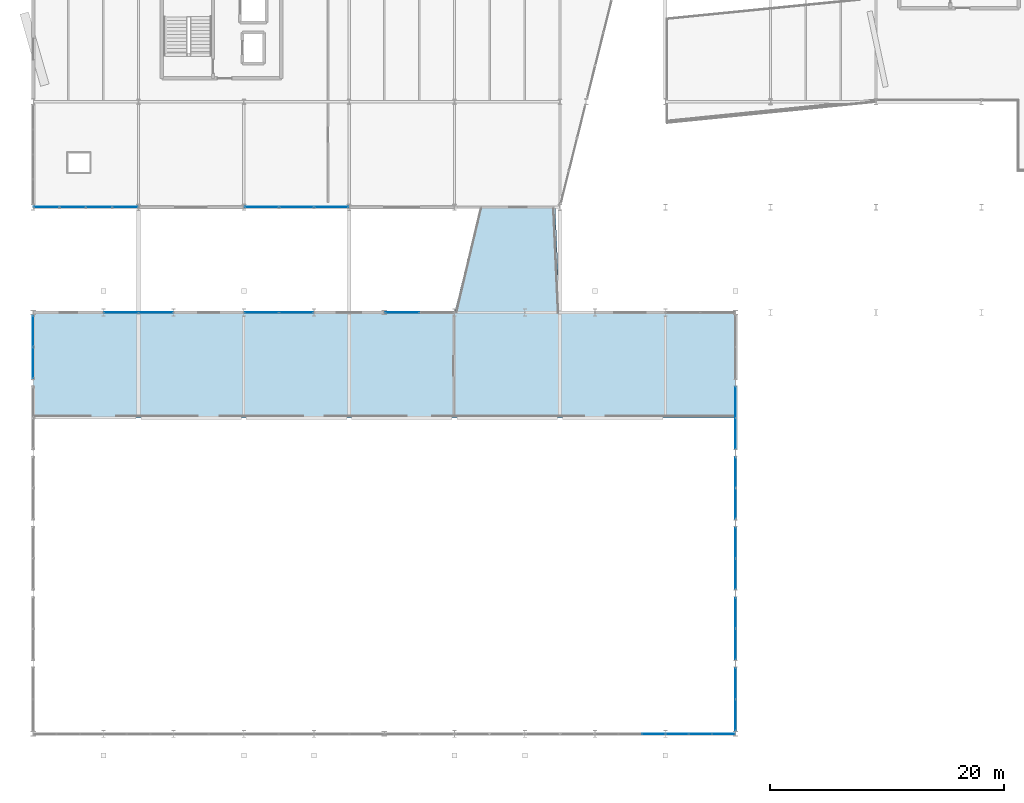
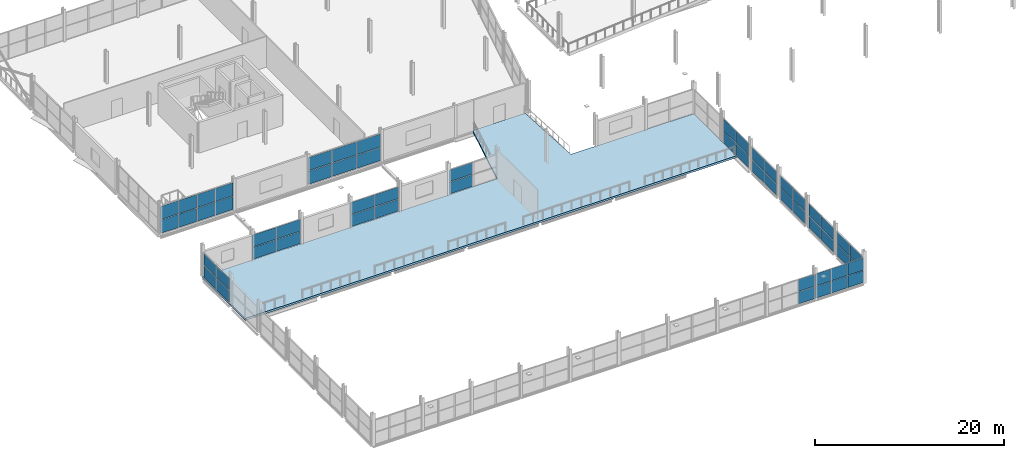
# One storey, part 102 of 135: 56 plates, 1 slab, 13 elements without a shape of their own.
"""IFC4 building model written with IfcOpenShell, lengths in metres."""

from ifc_helpers import new_model, si_unit, direction, frame, origin, origin_2d, place, context, subcontext, project, spatial, polyline, rectangle, outline, extrude, material, layer, layer_set, type_object, element, aggregate, save


model = new_model("IFC4")

# Units and contexts
model_context = context("Model", 3, precision=1e-05, world=origin(), true_north=direction((0.0, 1.0)))
body_context = subcontext(model_context, "Body", "Model", "MODEL_VIEW")
ifc_project = project(units=[si_unit("LENGTHUNIT", "METRE"), si_unit("AREAUNIT", "SQUARE_METRE"), si_unit("VOLUMEUNIT", "CUBIC_METRE"), si_unit("PLANEANGLEUNIT", "RADIAN"), si_unit("MASSUNIT", "GRAM", prefix="KILO")], contexts=[model_context])

# Site, building, storey
site_placement = place(None, origin())
site = spatial("IfcSite", under=ifc_project, at=site_placement, CompositionType="ELEMENT")
building_placement = place(site_placement, origin())
building = spatial("IfcBuilding", under=site, at=building_placement, Name="Deido Ridge Mobility Hub", CompositionType="ELEMENT")
storey_placement = place(building_placement, frame((0.0, 0.0, 4.199951171875)))
storey = spatial("IfcBuildingStorey", under=building, at=storey_placement, Name="L01", CompositionType="ELEMENT", Elevation=4.199951171875)

# Curtain wall, plates
ifc_material_1 = material(Name="Anodised aluminium EN AW-6063 T6", Category="aluminium")
ifc_layer_1 = layer(ifc_material_1, 0.1650390625, Name="Anodised aluminium EN AW-6063 T6")
ifc_layer_set_1 = layer_set([ifc_layer_1], Name="Anodised aluminium EN AW-6063 T6")
curtain_wall_type_1 = type_object("IfcCurtainWallType", Name="CW-UF-1", PredefinedType="USERDEFINED", material=ifc_layer_set_1)
curtain_wall_1_placement = place(storey_placement, origin())
curtain_wall_1 = element("IfcCurtainWall", 1, at=curtain_wall_1_placement, inside=storey, type_object=curtain_wall_type_1, Name="Unitised curtain wall CW1", ObjectType="UNITISED FACADE", PredefinedType="USERDEFINED")
ifc_material_2 = material(Name="Laminated solar-control low-E glass", Category="glass")
ifc_layer_2 = layer(ifc_material_2, 0.02587890625, Name="Laminated solar-control low-E glass")
ifc_layer_set_2 = layer_set([ifc_layer_2], Name="Laminated solar-control low-E glass")
plate_type_1 = type_object("IfcPlateType", Name="PLT-CWP-26", PredefinedType="CURTAIN_PANEL", material=ifc_layer_set_2)
plate_1_placement = place(storey_placement, frame((52.982421875, 0.0, 0.0498046875), z_axis=(0.0, 0.0, 1.0), x_axis=(1.0, 0.0, 0.0)))
plate_1 = element("IfcPlate", 2, at=plate_1_placement, type_object=plate_type_1, Name="CW1 panel 3.1", PredefinedType="CURTAIN_PANEL", context=body_context, shape_type="SweptSolid", body=[
    extrude(rectangle(XDim=1.919921875, YDim=0.02587890625, at=origin_2d()), origin(), (0.0, 0.0, 1.0), 1.550048828125),
])
plate_2_placement = place(storey_placement, frame((52.982421875, 0.0, 1.64990234375), z_axis=(0.0, 0.0, 1.0), x_axis=(1.0, 0.0, 0.0)))
plate_2 = element("IfcPlate", 3, at=plate_2_placement, type_object=plate_type_1, Name="CW1 panel 3.2", PredefinedType="CURTAIN_PANEL", context=body_context, shape_type="SweptSolid", body=[
    extrude(rectangle(XDim=1.919921875, YDim=0.02587890625, at=origin_2d()), origin(), (0.0, 0.0, 1.0), 1.550048828125),
])
aggregate(curtain_wall_1, [plate_1, plate_2])

ifc_layer_3 = layer(ifc_material_1, 0.179931640625, Name="Anodised aluminium EN AW-6063 T6")
ifc_layer_set_3 = layer_set([ifc_layer_3], Name="Anodised aluminium EN AW-6063 T6")
curtain_wall_type_2 = type_object("IfcCurtainWallType", Name="CW-UF-2", PredefinedType="USERDEFINED", material=ifc_layer_set_3)
curtain_wall_2_placement = place(storey_placement, origin())
curtain_wall_2 = element("IfcCurtainWall", 4, at=curtain_wall_2_placement, inside=storey, type_object=curtain_wall_type_2, Name="Unitised curtain wall CW2", ObjectType="UNITISED FACADE", PredefinedType="USERDEFINED")
plate_3_placement = place(storey_placement, frame((60.0, 25.66259765625, 0.0498046875), z_axis=(0.0, 0.0, 1.0), x_axis=(0.0, 1.0, 0.0)))
plate_3 = element("IfcPlate", 5, at=plate_3_placement, type_object=plate_type_1, Name="CW2 panel 1.1", PredefinedType="CURTAIN_PANEL", context=body_context, shape_type="SweptSolid", body=[
    extrude(rectangle(XDim=2.625, YDim=0.02587890625, at=origin_2d()), origin(), (0.0, 0.0, 1.0), 1.550048828125),
])
plate_4_placement = place(storey_placement, frame((60.0, 25.66259765625, 1.64990234375), z_axis=(0.0, 0.0, 1.0), x_axis=(0.0, 1.0, 0.0)))
plate_4 = element("IfcPlate", 6, at=plate_4_placement, type_object=plate_type_1, Name="CW2 panel 1.2", PredefinedType="CURTAIN_PANEL", context=body_context, shape_type="SweptSolid", body=[
    extrude(rectangle(XDim=2.625, YDim=0.02587890625, at=origin_2d()), origin(), (0.0, 0.0, 1.0), 1.550048828125),
])
plate_5_placement = place(storey_placement, frame((60.0, 28.33740234375, 0.0498046875), z_axis=(0.0, 0.0, 1.0), x_axis=(0.0, 1.0, 0.0)))
plate_5 = element("IfcPlate", 7, at=plate_5_placement, type_object=plate_type_1, Name="CW2 panel 2.1", PredefinedType="CURTAIN_PANEL", context=body_context, shape_type="SweptSolid", body=[
    extrude(rectangle(XDim=2.625, YDim=0.02587890625, at=origin_2d()), origin(), (0.0, 0.0, 1.0), 1.550048828125),
])
plate_6_placement = place(storey_placement, frame((60.0, 28.33740234375, 1.64990234375), z_axis=(0.0, 0.0, 1.0), x_axis=(0.0, 1.0, 0.0)))
plate_6 = element("IfcPlate", 8, at=plate_6_placement, type_object=plate_type_1, Name="CW2 panel 2.2", PredefinedType="CURTAIN_PANEL", context=body_context, shape_type="SweptSolid", body=[
    extrude(rectangle(XDim=2.625, YDim=0.02587890625, at=origin_2d()), origin(), (0.0, 0.0, 1.0), 1.550048828125),
])
aggregate(curtain_wall_2, [plate_3, plate_4, plate_5, plate_6])

curtain_wall_3_placement = place(storey_placement, origin())
curtain_wall_3 = element("IfcCurtainWall", 9, at=curtain_wall_3_placement, inside=storey, type_object=curtain_wall_type_2, Name="Unitised curtain wall CW2", ObjectType="UNITISED FACADE", PredefinedType="USERDEFINED")
ifc_layer_4 = layer(ifc_material_2, 0.029052734375, Name="Laminated solar-control low-E glass")
ifc_layer_set_4 = layer_set([ifc_layer_4], Name="Laminated solar-control low-E glass")
plate_type_2 = type_object("IfcPlateType", Name="PLT-CWP-29", PredefinedType="CURTAIN_PANEL", material=ifc_layer_set_4)
plate_7_placement = place(storey_placement, frame((55.018310546875, 0.0, 0.05517578125), z_axis=(0.0, 0.0, 1.0), x_axis=(1.0, 0.0, 0.0)))
plate_7 = element("IfcPlate", 10, at=plate_7_placement, type_object=plate_type_2, Name="CW2 panel 1.1", PredefinedType="CURTAIN_PANEL", context=body_context, shape_type="SweptSolid", body=[
    extrude(rectangle(XDim=1.910888671875, YDim=0.029052734375, at=origin_2d()), origin(), (0.0, 0.0, 1.0), 1.54248046875),
])
plate_8_placement = place(storey_placement, frame((55.018310546875, 0.0, 1.652587890625), z_axis=(0.0, 0.0, 1.0), x_axis=(1.0, 0.0, 0.0)))
plate_8 = element("IfcPlate", 11, at=plate_8_placement, type_object=plate_type_2, Name="CW2 panel 1.2", PredefinedType="CURTAIN_PANEL", context=body_context, shape_type="SweptSolid", body=[
    extrude(rectangle(XDim=1.910888671875, YDim=0.029052734375, at=origin_2d()), origin(), (0.0, 0.0, 1.0), 1.54248046875),
])
plate_9_placement = place(storey_placement, frame((56.997802734375, 0.0, 0.05517578125), z_axis=(0.0, 0.0, 1.0), x_axis=(1.0, 0.0, 0.0)))
plate_9 = element("IfcPlate", 12, at=plate_9_placement, type_object=plate_type_2, Name="CW2 panel 2.1", PredefinedType="CURTAIN_PANEL", context=body_context, shape_type="SweptSolid", body=[
    extrude(rectangle(XDim=1.9384765625, YDim=0.029052734375, at=origin_2d()), origin(), (0.0, 0.0, 1.0), 1.54248046875),
])
plate_10_placement = place(storey_placement, frame((56.997802734375, 0.0, 1.652587890625), z_axis=(0.0, 0.0, 1.0), x_axis=(1.0, 0.0, 0.0)))
plate_10 = element("IfcPlate", 13, at=plate_10_placement, type_object=plate_type_2, Name="CW2 panel 2.2", PredefinedType="CURTAIN_PANEL", context=body_context, shape_type="SweptSolid", body=[
    extrude(rectangle(XDim=1.9384765625, YDim=0.029052734375, at=origin_2d()), origin(), (0.0, 0.0, 1.0), 1.54248046875),
])
plate_11_placement = place(storey_placement, frame((58.9775390625, 0.0, 0.05517578125), z_axis=(0.0, 0.0, 1.0), x_axis=(1.0, 0.0, 0.0)))
plate_11 = element("IfcPlate", 14, at=plate_11_placement, type_object=plate_type_2, Name="CW2 panel 3.1", PredefinedType="CURTAIN_PANEL", context=body_context, shape_type="SweptSolid", body=[
    extrude(rectangle(XDim=1.910888671875, YDim=0.029052734375, at=origin_2d()), origin(), (0.0, 0.0, 1.0), 1.54248046875),
])
plate_12_placement = place(storey_placement, frame((58.9775390625, 0.0, 1.652587890625), z_axis=(0.0, 0.0, 1.0), x_axis=(1.0, 0.0, 0.0)))
plate_12 = element("IfcPlate", 15, at=plate_12_placement, type_object=plate_type_2, Name="CW2 panel 3.2", PredefinedType="CURTAIN_PANEL", context=body_context, shape_type="SweptSolid", body=[
    extrude(rectangle(XDim=1.910888671875, YDim=0.029052734375, at=origin_2d()), origin(), (0.0, 0.0, 1.0), 1.54248046875),
])
aggregate(curtain_wall_3, [plate_7, plate_8, plate_9, plate_10, plate_11, plate_12])

ifc_layer_5 = layer(ifc_material_1, 0.14404296875, Name="Anodised aluminium EN AW-6063 T6")
ifc_layer_set_5 = layer_set([ifc_layer_5], Name="Anodised aluminium EN AW-6063 T6")
curtain_wall_type_3 = type_object("IfcCurtainWallType", Name="CW-GS-2", PredefinedType="USERDEFINED", material=ifc_layer_set_5)
curtain_wall_4_placement = place(storey_placement, origin())
curtain_wall_4 = element("IfcCurtainWall", 16, at=curtain_wall_4_placement, inside=storey, type_object=curtain_wall_type_3, Name="Unitised curtain wall GS2", ObjectType="GLAZED SCREEN", PredefinedType="USERDEFINED")
ifc_layer_6 = layer(ifc_material_2, 0.031005859375, Name="Laminated solar-control low-E glass")
ifc_layer_set_6 = layer_set([ifc_layer_6], Name="Laminated solar-control low-E glass")
plate_type_3 = type_object("IfcPlateType", Name="PLT-CWP-31", PredefinedType="CURTAIN_PANEL", material=ifc_layer_set_6)
plate_13_placement = place(storey_placement, frame((7.518798828125, 36.0, 0.06005859375), z_axis=(0.0, 0.0, 1.0), x_axis=(1.0, 0.0, 0.0)))
plate_13 = element("IfcPlate", 17, at=plate_13_placement, type_object=plate_type_3, Name="GS2 panel 1.1", PredefinedType="CURTAIN_PANEL", context=body_context, shape_type="SweptSolid", body=[
    extrude(rectangle(XDim=2.90234375, YDim=0.031005859375, at=origin_2d()), origin(), (0.0, 0.0, 1.0), 1.534912109375),
])
plate_14_placement = place(storey_placement, frame((7.518798828125, 36.0, 1.6552734375), z_axis=(0.0, 0.0, 1.0), x_axis=(1.0, 0.0, 0.0)))
plate_14 = element("IfcPlate", 18, at=plate_14_placement, type_object=plate_type_3, Name="GS2 panel 1.2", PredefinedType="CURTAIN_PANEL", context=body_context, shape_type="SweptSolid", body=[
    extrude(rectangle(XDim=2.90234375, YDim=0.031005859375, at=origin_2d()), origin(), (0.0, 0.0, 1.0), 1.534912109375),
])
plate_15_placement = place(storey_placement, frame((10.481201171875, 36.0, 0.06005859375), z_axis=(0.0, 0.0, 1.0), x_axis=(1.0, 0.0, 0.0)))
plate_15 = element("IfcPlate", 19, at=plate_15_placement, type_object=plate_type_3, Name="GS2 panel 2.1", PredefinedType="CURTAIN_PANEL", context=body_context, shape_type="SweptSolid", body=[
    extrude(rectangle(XDim=2.90234375, YDim=0.031005859375, at=origin_2d()), origin(), (0.0, 0.0, 1.0), 1.534912109375),
])
plate_16_placement = place(storey_placement, frame((10.481201171875, 36.0, 1.6552734375), z_axis=(0.0, 0.0, 1.0), x_axis=(1.0, 0.0, 0.0)))
plate_16 = element("IfcPlate", 20, at=plate_16_placement, type_object=plate_type_3, Name="GS2 panel 2.2", PredefinedType="CURTAIN_PANEL", context=body_context, shape_type="SweptSolid", body=[
    extrude(rectangle(XDim=2.90234375, YDim=0.031005859375, at=origin_2d()), origin(), (0.0, 0.0, 1.0), 1.534912109375),
])
aggregate(curtain_wall_4, [plate_13, plate_14, plate_15, plate_16])

ifc_layer_7 = layer(ifc_material_1, 0.132080078125, Name="Anodised aluminium EN AW-6063 T6")
ifc_layer_set_7 = layer_set([ifc_layer_7], Name="Anodised aluminium EN AW-6063 T6")
curtain_wall_type_4 = type_object("IfcCurtainWallType", Name="CW-GS-1", PredefinedType="USERDEFINED", material=ifc_layer_set_7)
curtain_wall_5_placement = place(storey_placement, origin())
curtain_wall_5 = element("IfcCurtainWall", 21, at=curtain_wall_5_placement, inside=storey, type_object=curtain_wall_type_4, Name="Unitised curtain wall GS1", ObjectType="GLAZED SCREEN", PredefinedType="USERDEFINED")
ifc_layer_8 = layer(ifc_material_2, 0.032958984375, Name="Laminated solar-control low-E glass")
ifc_layer_set_8 = layer_set([ifc_layer_8], Name="Laminated solar-control low-E glass")
plate_type_4 = type_object("IfcPlateType", Name="PLT-CWP-33", PredefinedType="CURTAIN_PANEL", material=ifc_layer_set_8)
plate_17_placement = place(storey_placement, frame((1.146728515625, 45.0, 0.06494140625), z_axis=(0.0, 0.0, 1.0), x_axis=(1.0, 0.0, 0.0)))
plate_17 = element("IfcPlate", 22, at=plate_17_placement, type_object=plate_type_4, Name="GS1 panel 1.1", PredefinedType="CURTAIN_PANEL", context=body_context, shape_type="SweptSolid", body=[
    extrude(rectangle(XDim=2.14892578125, YDim=0.032958984375, at=origin_2d()), origin(), (0.0, 0.0, 1.0), 1.702392578125),
])
plate_18_placement = place(storey_placement, frame((1.146728515625, 45.0, 1.83251953125), z_axis=(0.0, 0.0, 1.0), x_axis=(1.0, 0.0, 0.0)))
plate_18 = element("IfcPlate", 23, at=plate_18_placement, type_object=plate_type_4, Name="GS1 panel 1.2", PredefinedType="CURTAIN_PANEL", context=body_context, shape_type="SweptSolid", body=[
    extrude(rectangle(XDim=2.14892578125, YDim=0.032958984375, at=origin_2d()), origin(), (0.0, 0.0, 1.0), 1.702392578125),
])
plate_19_placement = place(storey_placement, frame((3.376708984375, 45.0, 0.06494140625), z_axis=(0.0, 0.0, 1.0), x_axis=(1.0, 0.0, 0.0)))
plate_19 = element("IfcPlate", 24, at=plate_19_placement, type_object=plate_type_4, Name="GS1 panel 2.1", PredefinedType="CURTAIN_PANEL", context=body_context, shape_type="SweptSolid", body=[
    extrude(rectangle(XDim=2.181396484375, YDim=0.032958984375, at=origin_2d()), origin(), (0.0, 0.0, 1.0), 1.702392578125),
])
plate_20_placement = place(storey_placement, frame((3.376708984375, 45.0, 1.83251953125), z_axis=(0.0, 0.0, 1.0), x_axis=(1.0, 0.0, 0.0)))
plate_20 = element("IfcPlate", 25, at=plate_20_placement, type_object=plate_type_4, Name="GS1 panel 2.2", PredefinedType="CURTAIN_PANEL", context=body_context, shape_type="SweptSolid", body=[
    extrude(rectangle(XDim=2.181396484375, YDim=0.032958984375, at=origin_2d()), origin(), (0.0, 0.0, 1.0), 1.702392578125),
])
plate_21_placement = place(storey_placement, frame((5.623291015625, 45.0, 0.06494140625), z_axis=(0.0, 0.0, 1.0), x_axis=(1.0, 0.0, 0.0)))
plate_21 = element("IfcPlate", 26, at=plate_21_placement, type_object=plate_type_4, Name="GS1 panel 3.1", PredefinedType="CURTAIN_PANEL", context=body_context, shape_type="SweptSolid", body=[
    extrude(rectangle(XDim=2.181396484375, YDim=0.032958984375, at=origin_2d()), origin(), (0.0, 0.0, 1.0), 1.702392578125),
])
plate_22_placement = place(storey_placement, frame((5.623291015625, 45.0, 1.83251953125), z_axis=(0.0, 0.0, 1.0), x_axis=(1.0, 0.0, 0.0)))
plate_22 = element("IfcPlate", 27, at=plate_22_placement, type_object=plate_type_4, Name="GS1 panel 3.2", PredefinedType="CURTAIN_PANEL", context=body_context, shape_type="SweptSolid", body=[
    extrude(rectangle(XDim=2.181396484375, YDim=0.032958984375, at=origin_2d()), origin(), (0.0, 0.0, 1.0), 1.702392578125),
])
plate_23_placement = place(storey_placement, frame((7.853271484375, 45.0, 0.06494140625), z_axis=(0.0, 0.0, 1.0), x_axis=(1.0, 0.0, 0.0)))
plate_23 = element("IfcPlate", 28, at=plate_23_placement, type_object=plate_type_4, Name="GS1 panel 4.1", PredefinedType="CURTAIN_PANEL", context=body_context, shape_type="SweptSolid", body=[
    extrude(rectangle(XDim=2.14892578125, YDim=0.032958984375, at=origin_2d()), origin(), (0.0, 0.0, 1.0), 1.702392578125),
])
plate_24_placement = place(storey_placement, frame((7.853271484375, 45.0, 1.83251953125), z_axis=(0.0, 0.0, 1.0), x_axis=(1.0, 0.0, 0.0)))
plate_24 = element("IfcPlate", 29, at=plate_24_placement, type_object=plate_type_4, Name="GS1 panel 4.2", PredefinedType="CURTAIN_PANEL", context=body_context, shape_type="SweptSolid", body=[
    extrude(rectangle(XDim=2.14892578125, YDim=0.032958984375, at=origin_2d()), origin(), (0.0, 0.0, 1.0), 1.702392578125),
])
aggregate(curtain_wall_5, [plate_17, plate_18, plate_19, plate_20, plate_21, plate_22, plate_23, plate_24])

ifc_layer_9 = layer(ifc_material_1, 0.16796875, Name="Anodised aluminium EN AW-6063 T6")
ifc_layer_set_9 = layer_set([ifc_layer_9], Name="Anodised aluminium EN AW-6063 T6")
curtain_wall_type_5 = type_object("IfcCurtainWallType", Name="CW-GS-4", PredefinedType="USERDEFINED", material=ifc_layer_set_9)
curtain_wall_6_placement = place(storey_placement, origin())
curtain_wall_6 = element("IfcCurtainWall", 30, at=curtain_wall_6_placement, inside=storey, type_object=curtain_wall_type_5, Name="Unitised curtain wall GS4", ObjectType="GLAZED SCREEN", PredefinedType="USERDEFINED")
ifc_layer_10 = layer(ifc_material_2, 0.034912109375, Name="Laminated solar-control low-E glass")
ifc_layer_set_10 = layer_set([ifc_layer_10], Name="Laminated solar-control low-E glass")
plate_type_5 = type_object("IfcPlateType", Name="PLT-CWP-35", PredefinedType="CURTAIN_PANEL", material=ifc_layer_set_10)
plate_25_placement = place(storey_placement, frame((19.521484375, 36.0, 0.070068359375), z_axis=(0.0, 0.0, 1.0), x_axis=(1.0, 0.0, 0.0)))
plate_25 = element("IfcPlate", 31, at=plate_25_placement, type_object=plate_type_5, Name="GS4 panel 1.1", PredefinedType="CURTAIN_PANEL", context=body_context, shape_type="SweptSolid", body=[
    extrude(rectangle(XDim=2.88720703125, YDim=0.034912109375, at=origin_2d()), origin(), (0.0, 0.0, 1.0), 1.52001953125),
])
plate_26_placement = place(storey_placement, frame((19.521484375, 36.0, 1.66015625), z_axis=(0.0, 0.0, 1.0), x_axis=(1.0, 0.0, 0.0)))
plate_26 = element("IfcPlate", 32, at=plate_26_placement, type_object=plate_type_5, Name="GS4 panel 1.2", PredefinedType="CURTAIN_PANEL", context=body_context, shape_type="SweptSolid", body=[
    extrude(rectangle(XDim=2.88720703125, YDim=0.034912109375, at=origin_2d()), origin(), (0.0, 0.0, 1.0), 1.52001953125),
])
plate_27_placement = place(storey_placement, frame((22.478515625, 36.0, 0.070068359375), z_axis=(0.0, 0.0, 1.0), x_axis=(1.0, 0.0, 0.0)))
plate_27 = element("IfcPlate", 33, at=plate_27_placement, type_object=plate_type_5, Name="GS4 panel 2.1", PredefinedType="CURTAIN_PANEL", context=body_context, shape_type="SweptSolid", body=[
    extrude(rectangle(XDim=2.88720703125, YDim=0.034912109375, at=origin_2d()), origin(), (0.0, 0.0, 1.0), 1.52001953125),
])
plate_28_placement = place(storey_placement, frame((22.478515625, 36.0, 1.66015625), z_axis=(0.0, 0.0, 1.0), x_axis=(1.0, 0.0, 0.0)))
plate_28 = element("IfcPlate", 34, at=plate_28_placement, type_object=plate_type_5, Name="GS4 panel 2.2", PredefinedType="CURTAIN_PANEL", context=body_context, shape_type="SweptSolid", body=[
    extrude(rectangle(XDim=2.88720703125, YDim=0.034912109375, at=origin_2d()), origin(), (0.0, 0.0, 1.0), 1.52001953125),
])
aggregate(curtain_wall_6, [plate_25, plate_26, plate_27, plate_28])

ifc_layer_11 = layer(ifc_material_1, 0.239990234375, Name="Anodised aluminium EN AW-6063 T6")
ifc_layer_set_11 = layer_set([ifc_layer_11], Name="Anodised aluminium EN AW-6063 T6")
curtain_wall_type_6 = type_object("IfcCurtainWallType", Name="CW-UF-6", PredefinedType="USERDEFINED", material=ifc_layer_set_11)
curtain_wall_7_placement = place(storey_placement, origin())
curtain_wall_7 = element("IfcCurtainWall", 35, at=curtain_wall_7_placement, inside=storey, type_object=curtain_wall_type_6, Name="Unitised curtain wall CW6", ObjectType="UNITISED FACADE", PredefinedType="USERDEFINED")
plate_29_placement = place(storey_placement, frame((60.0, 1.598388671875, 0.070068359375), z_axis=(0.0, 0.0, 1.0), x_axis=(0.0, 1.0, 0.0)))
plate_29 = element("IfcPlate", 36, at=plate_29_placement, type_object=plate_type_5, Name="CW6 panel 1.1", PredefinedType="CURTAIN_PANEL", context=body_context, shape_type="SweptSolid", body=[
    extrude(rectangle(XDim=2.64111328125, YDim=0.034912109375, at=origin_2d()), origin(), (0.0, 0.0, 1.0), 1.52001953125),
])
plate_30_placement = place(storey_placement, frame((60.0, 1.598388671875, 1.66015625), z_axis=(0.0, 0.0, 1.0), x_axis=(0.0, 1.0, 0.0)))
plate_30 = element("IfcPlate", 37, at=plate_30_placement, type_object=plate_type_5, Name="CW6 panel 1.2", PredefinedType="CURTAIN_PANEL", context=body_context, shape_type="SweptSolid", body=[
    extrude(rectangle(XDim=2.64111328125, YDim=0.034912109375, at=origin_2d()), origin(), (0.0, 0.0, 1.0), 1.52001953125),
])
plate_31_placement = place(storey_placement, frame((60.0, 4.3095703125, 0.070068359375), z_axis=(0.0, 0.0, 1.0), x_axis=(0.0, 1.0, 0.0)))
plate_31 = element("IfcPlate", 38, at=plate_31_placement, type_object=plate_type_5, Name="CW6 panel 2.1", PredefinedType="CURTAIN_PANEL", context=body_context, shape_type="SweptSolid", body=[
    extrude(rectangle(XDim=2.64111328125, YDim=0.034912109375, at=origin_2d()), origin(), (0.0, 0.0, 1.0), 1.52001953125),
])
plate_32_placement = place(storey_placement, frame((60.0, 4.3095703125, 1.66015625), z_axis=(0.0, 0.0, 1.0), x_axis=(0.0, 1.0, 0.0)))
plate_32 = element("IfcPlate", 39, at=plate_32_placement, type_object=plate_type_5, Name="CW6 panel 2.2", PredefinedType="CURTAIN_PANEL", context=body_context, shape_type="SweptSolid", body=[
    extrude(rectangle(XDim=2.64111328125, YDim=0.034912109375, at=origin_2d()), origin(), (0.0, 0.0, 1.0), 1.52001953125),
])
aggregate(curtain_wall_7, [plate_29, plate_30, plate_31, plate_32])

ifc_layer_12 = layer(ifc_material_1, 0.2548828125, Name="Anodised aluminium EN AW-6063 T6")
ifc_layer_set_12 = layer_set([ifc_layer_12], Name="Anodised aluminium EN AW-6063 T6")
curtain_wall_type_7 = type_object("IfcCurtainWallType", Name="CW-UF-7", PredefinedType="USERDEFINED", material=ifc_layer_set_12)
curtain_wall_8_placement = place(storey_placement, origin())
curtain_wall_8 = element("IfcCurtainWall", 40, at=curtain_wall_8_placement, inside=storey, type_object=curtain_wall_type_7, Name="Unitised curtain wall CW7", ObjectType="UNITISED FACADE", PredefinedType="USERDEFINED")
ifc_layer_13 = layer(ifc_material_2, 0.037109375, Name="Laminated solar-control low-E glass")
ifc_layer_set_13 = layer_set([ifc_layer_13], Name="Laminated solar-control low-E glass")
plate_type_6 = type_object("IfcPlateType", Name="PLT-CWP-37", PredefinedType="CURTAIN_PANEL", material=ifc_layer_set_13)
plate_33_placement = place(storey_placement, frame((60.0, 7.668701171875, 0.0751953125), z_axis=(0.0, 0.0, 1.0), x_axis=(0.0, 1.0, 0.0)))
plate_33 = element("IfcPlate", 41, at=plate_33_placement, type_object=plate_type_6, Name="CW7 panel 1.1", PredefinedType="CURTAIN_PANEL", context=body_context, shape_type="SweptSolid", body=[
    extrude(rectangle(XDim=2.58740234375, YDim=0.037109375, at=origin_2d()), origin(), (0.0, 0.0, 1.0), 1.512451171875),
])
plate_34_placement = place(storey_placement, frame((60.0, 7.668701171875, 1.66259765625), z_axis=(0.0, 0.0, 1.0), x_axis=(0.0, 1.0, 0.0)))
plate_34 = element("IfcPlate", 42, at=plate_34_placement, type_object=plate_type_6, Name="CW7 panel 1.2", PredefinedType="CURTAIN_PANEL", context=body_context, shape_type="SweptSolid", body=[
    extrude(rectangle(XDim=2.58740234375, YDim=0.037109375, at=origin_2d()), origin(), (0.0, 0.0, 1.0), 1.512451171875),
])
plate_35_placement = place(storey_placement, frame((60.0, 10.331298828125, 0.0751953125), z_axis=(0.0, 0.0, 1.0), x_axis=(0.0, 1.0, 0.0)))
plate_35 = element("IfcPlate", 43, at=plate_35_placement, type_object=plate_type_6, Name="CW7 panel 2.1", PredefinedType="CURTAIN_PANEL", context=body_context, shape_type="SweptSolid", body=[
    extrude(rectangle(XDim=2.58740234375, YDim=0.037109375, at=origin_2d()), origin(), (0.0, 0.0, 1.0), 1.512451171875),
])
plate_36_placement = place(storey_placement, frame((60.0, 10.331298828125, 1.66259765625), z_axis=(0.0, 0.0, 1.0), x_axis=(0.0, 1.0, 0.0)))
plate_36 = element("IfcPlate", 44, at=plate_36_placement, type_object=plate_type_6, Name="CW7 panel 2.2", PredefinedType="CURTAIN_PANEL", context=body_context, shape_type="SweptSolid", body=[
    extrude(rectangle(XDim=2.58740234375, YDim=0.037109375, at=origin_2d()), origin(), (0.0, 0.0, 1.0), 1.512451171875),
])
aggregate(curtain_wall_8, [plate_33, plate_34, plate_35, plate_36])

ifc_layer_14 = layer(ifc_material_1, 0.156005859375, Name="Anodised aluminium EN AW-6063 T6")
ifc_layer_set_14 = layer_set([ifc_layer_14], Name="Anodised aluminium EN AW-6063 T6")
curtain_wall_type_8 = type_object("IfcCurtainWallType", Name="CW-GS-3", PredefinedType="USERDEFINED", material=ifc_layer_set_14)
curtain_wall_9_placement = place(storey_placement, origin())
curtain_wall_9 = element("IfcCurtainWall", 45, at=curtain_wall_9_placement, inside=storey, type_object=curtain_wall_type_8, Name="Unitised curtain wall GS3", ObjectType="GLAZED SCREEN", PredefinedType="USERDEFINED")
plate_37_placement = place(storey_placement, frame((19.5234375, 45.0, 0.074951171875), z_axis=(0.0, 0.0, 1.0), x_axis=(1.0, 0.0, 0.0)))
plate_37 = element("IfcPlate", 46, at=plate_37_placement, type_object=plate_type_6, Name="GS3 panel 1.1", PredefinedType="CURTAIN_PANEL", context=body_context, shape_type="SweptSolid", body=[
    extrude(rectangle(XDim=2.8828125, YDim=0.037109375, at=origin_2d()), origin(), (0.0, 0.0, 1.0), 1.6875),
])
plate_38_placement = place(storey_placement, frame((19.5234375, 45.0, 1.837646484375), z_axis=(0.0, 0.0, 1.0), x_axis=(1.0, 0.0, 0.0)))
plate_38 = element("IfcPlate", 47, at=plate_38_placement, type_object=plate_type_6, Name="GS3 panel 1.2", PredefinedType="CURTAIN_PANEL", context=body_context, shape_type="SweptSolid", body=[
    extrude(rectangle(XDim=2.8828125, YDim=0.037109375, at=origin_2d()), origin(), (0.0, 0.0, 1.0), 1.6875),
])
plate_39_placement = place(storey_placement, frame((22.5, 45.0, 0.074951171875), z_axis=(0.0, 0.0, 1.0), x_axis=(1.0, 0.0, 0.0)))
plate_39 = element("IfcPlate", 48, at=plate_39_placement, type_object=plate_type_6, Name="GS3 panel 2.1", PredefinedType="CURTAIN_PANEL", context=body_context, shape_type="SweptSolid", body=[
    extrude(rectangle(XDim=2.920166015625, YDim=0.037109375, at=origin_2d()), origin(), (0.0, 0.0, 1.0), 1.6875),
])
plate_40_placement = place(storey_placement, frame((22.5, 45.0, 1.837646484375), z_axis=(0.0, 0.0, 1.0), x_axis=(1.0, 0.0, 0.0)))
plate_40 = element("IfcPlate", 49, at=plate_40_placement, type_object=plate_type_6, Name="GS3 panel 2.2", PredefinedType="CURTAIN_PANEL", context=body_context, shape_type="SweptSolid", body=[
    extrude(rectangle(XDim=2.920166015625, YDim=0.037109375, at=origin_2d()), origin(), (0.0, 0.0, 1.0), 1.6875),
])
plate_41_placement = place(storey_placement, frame((25.4765625, 45.0, 0.074951171875), z_axis=(0.0, 0.0, 1.0), x_axis=(1.0, 0.0, 0.0)))
plate_41 = element("IfcPlate", 50, at=plate_41_placement, type_object=plate_type_6, Name="GS3 panel 3.1", PredefinedType="CURTAIN_PANEL", context=body_context, shape_type="SweptSolid", body=[
    extrude(rectangle(XDim=2.8828125, YDim=0.037109375, at=origin_2d()), origin(), (0.0, 0.0, 1.0), 1.6875),
])
plate_42_placement = place(storey_placement, frame((25.4765625, 45.0, 1.837646484375), z_axis=(0.0, 0.0, 1.0), x_axis=(1.0, 0.0, 0.0)))
plate_42 = element("IfcPlate", 51, at=plate_42_placement, type_object=plate_type_6, Name="GS3 panel 3.2", PredefinedType="CURTAIN_PANEL", context=body_context, shape_type="SweptSolid", body=[
    extrude(rectangle(XDim=2.8828125, YDim=0.037109375, at=origin_2d()), origin(), (0.0, 0.0, 1.0), 1.6875),
])
aggregate(curtain_wall_9, [plate_37, plate_38, plate_39, plate_40, plate_41, plate_42])

curtain_wall_10_placement = place(storey_placement, origin())
curtain_wall_10 = element("IfcCurtainWall", 52, at=curtain_wall_10_placement, inside=storey, type_object=curtain_wall_type_3, Name="Unitised curtain wall GS2", ObjectType="GLAZED SCREEN", PredefinedType="USERDEFINED")
ifc_layer_15 = layer(ifc_material_2, 0.0390625, Name="Laminated solar-control low-E glass")
ifc_layer_set_15 = layer_set([ifc_layer_15], Name="Laminated solar-control low-E glass")
plate_type_7 = type_object("IfcPlateType", Name="PLT-CWP-39", PredefinedType="CURTAIN_PANEL", material=ifc_layer_set_15)
plate_43_placement = place(storey_placement, frame((31.527099609375, 36.0, 0.080078125), z_axis=(0.0, 0.0, 1.0), x_axis=(1.0, 0.0, 0.0)))
plate_43 = element("IfcPlate", 53, at=plate_43_placement, type_object=plate_type_7, Name="GS2 panel 1.1", PredefinedType="CURTAIN_PANEL", context=body_context, shape_type="SweptSolid", body=[
    extrude(rectangle(XDim=2.8701171875, YDim=0.0390625, at=origin_2d()), origin(), (0.0, 0.0, 1.0), 1.5048828125),
])
plate_44_placement = place(storey_placement, frame((31.527099609375, 36.0, 1.6650390625), z_axis=(0.0, 0.0, 1.0), x_axis=(1.0, 0.0, 0.0)))
plate_44 = element("IfcPlate", 54, at=plate_44_placement, type_object=plate_type_7, Name="GS2 panel 1.2", PredefinedType="CURTAIN_PANEL", context=body_context, shape_type="SweptSolid", body=[
    extrude(rectangle(XDim=2.8701171875, YDim=0.0390625, at=origin_2d()), origin(), (0.0, 0.0, 1.0), 1.5048828125),
])
aggregate(curtain_wall_10, [plate_43, plate_44])

ifc_layer_16 = layer(ifc_material_1, 0.27001953125, Name="Anodised aluminium EN AW-6063 T6")
ifc_layer_set_16 = layer_set([ifc_layer_16], Name="Anodised aluminium EN AW-6063 T6")
curtain_wall_type_9 = type_object("IfcCurtainWallType", Name="CW-UF-8", PredefinedType="USERDEFINED", material=ifc_layer_set_16)
curtain_wall_11_placement = place(storey_placement, origin())
curtain_wall_11 = element("IfcCurtainWall", 55, at=curtain_wall_11_placement, inside=storey, type_object=curtain_wall_type_9, Name="Unitised curtain wall CW8", ObjectType="UNITISED FACADE", PredefinedType="USERDEFINED")
plate_45_placement = place(storey_placement, frame((60.0, 13.669921875, 0.080078125), z_axis=(0.0, 0.0, 1.0), x_axis=(0.0, 1.0, 0.0)))
plate_45 = element("IfcPlate", 56, at=plate_45_placement, type_object=plate_type_7, Name="CW8 panel 1.1", PredefinedType="CURTAIN_PANEL", context=body_context, shape_type="SweptSolid", body=[
    extrude(rectangle(XDim=2.580078125, YDim=0.0390625, at=origin_2d()), origin(), (0.0, 0.0, 1.0), 1.5048828125),
])
plate_46_placement = place(storey_placement, frame((60.0, 13.669921875, 1.6650390625), z_axis=(0.0, 0.0, 1.0), x_axis=(0.0, 1.0, 0.0)))
plate_46 = element("IfcPlate", 57, at=plate_46_placement, type_object=plate_type_7, Name="CW8 panel 1.2", PredefinedType="CURTAIN_PANEL", context=body_context, shape_type="SweptSolid", body=[
    extrude(rectangle(XDim=2.580078125, YDim=0.0390625, at=origin_2d()), origin(), (0.0, 0.0, 1.0), 1.5048828125),
])
plate_47_placement = place(storey_placement, frame((60.0, 16.330078125, 0.080078125), z_axis=(0.0, 0.0, 1.0), x_axis=(0.0, 1.0, 0.0)))
plate_47 = element("IfcPlate", 58, at=plate_47_placement, type_object=plate_type_7, Name="CW8 panel 2.1", PredefinedType="CURTAIN_PANEL", context=body_context, shape_type="SweptSolid", body=[
    extrude(rectangle(XDim=2.580078125, YDim=0.0390625, at=origin_2d()), origin(), (0.0, 0.0, 1.0), 1.5048828125),
])
plate_48_placement = place(storey_placement, frame((60.0, 16.330078125, 1.6650390625), z_axis=(0.0, 0.0, 1.0), x_axis=(0.0, 1.0, 0.0)))
plate_48 = element("IfcPlate", 59, at=plate_48_placement, type_object=plate_type_7, Name="CW8 panel 2.2", PredefinedType="CURTAIN_PANEL", context=body_context, shape_type="SweptSolid", body=[
    extrude(rectangle(XDim=2.580078125, YDim=0.0390625, at=origin_2d()), origin(), (0.0, 0.0, 1.0), 1.5048828125),
])
aggregate(curtain_wall_11, [plate_45, plate_46, plate_47, plate_48])

curtain_wall_12_placement = place(storey_placement, origin())
curtain_wall_12 = element("IfcCurtainWall", 60, at=curtain_wall_12_placement, inside=storey, type_object=curtain_wall_type_1, Name="Unitised curtain wall CW1", ObjectType="UNITISED FACADE", PredefinedType="USERDEFINED")
ifc_layer_17 = layer(ifc_material_2, 0.041015625, Name="Laminated solar-control low-E glass")
ifc_layer_set_17 = layer_set([ifc_layer_17], Name="Laminated solar-control low-E glass")
plate_type_8 = type_object("IfcPlateType", Name="PLT-CWP-41", PredefinedType="CURTAIN_PANEL", material=ifc_layer_set_17)
plate_49_placement = place(storey_placement, frame((60.0, 19.671142578125, 0.0849609375), z_axis=(0.0, 0.0, 1.0), x_axis=(0.0, 1.0, 0.0)))
plate_49 = element("IfcPlate", 61, at=plate_49_placement, type_object=plate_type_8, Name="CW1 panel 1.1", PredefinedType="CURTAIN_PANEL", context=body_context, shape_type="SweptSolid", body=[
    extrude(rectangle(XDim=2.572509765625, YDim=0.041015625, at=origin_2d()), origin(), (0.0, 0.0, 1.0), 1.49755859375),
])
plate_50_placement = place(storey_placement, frame((60.0, 19.671142578125, 1.66748046875), z_axis=(0.0, 0.0, 1.0), x_axis=(0.0, 1.0, 0.0)))
plate_50 = element("IfcPlate", 62, at=plate_50_placement, type_object=plate_type_8, Name="CW1 panel 1.2", PredefinedType="CURTAIN_PANEL", context=body_context, shape_type="SweptSolid", body=[
    extrude(rectangle(XDim=2.572509765625, YDim=0.041015625, at=origin_2d()), origin(), (0.0, 0.0, 1.0), 1.49755859375),
])
plate_51_placement = place(storey_placement, frame((60.0, 22.328857421875, 0.0849609375), z_axis=(0.0, 0.0, 1.0), x_axis=(0.0, 1.0, 0.0)))
plate_51 = element("IfcPlate", 63, at=plate_51_placement, type_object=plate_type_8, Name="CW1 panel 2.1", PredefinedType="CURTAIN_PANEL", context=body_context, shape_type="SweptSolid", body=[
    extrude(rectangle(XDim=2.572509765625, YDim=0.041015625, at=origin_2d()), origin(), (0.0, 0.0, 1.0), 1.49755859375),
])
plate_52_placement = place(storey_placement, frame((60.0, 22.328857421875, 1.66748046875), z_axis=(0.0, 0.0, 1.0), x_axis=(0.0, 1.0, 0.0)))
plate_52 = element("IfcPlate", 64, at=plate_52_placement, type_object=plate_type_8, Name="CW1 panel 2.2", PredefinedType="CURTAIN_PANEL", context=body_context, shape_type="SweptSolid", body=[
    extrude(rectangle(XDim=2.572509765625, YDim=0.041015625, at=origin_2d()), origin(), (0.0, 0.0, 1.0), 1.49755859375),
])
aggregate(curtain_wall_12, [plate_49, plate_50, plate_51, plate_52])

curtain_wall_13_placement = place(storey_placement, origin())
curtain_wall_13 = element("IfcCurtainWall", 65, at=curtain_wall_13_placement, inside=storey, type_object=curtain_wall_type_1, Name="Unitised curtain wall CW1", ObjectType="UNITISED FACADE", PredefinedType="USERDEFINED")
plate_53_placement = place(storey_placement, frame((0.0, 31.6943359375, 0.0849609375), z_axis=(0.0, 0.0, 1.0), x_axis=(0.0, 1.0, 0.0)))
plate_53 = element("IfcPlate", 66, at=plate_53_placement, type_object=plate_type_8, Name="CW1 panel 1.1", PredefinedType="CURTAIN_PANEL", context=body_context, shape_type="SweptSolid", body=[
    extrude(rectangle(XDim=2.618408203125, YDim=0.041015625, at=origin_2d()), origin(), (0.0, 0.0, 1.0), 1.49755859375),
])
plate_54_placement = place(storey_placement, frame((0.0, 31.6943359375, 1.66748046875), z_axis=(0.0, 0.0, 1.0), x_axis=(0.0, 1.0, 0.0)))
plate_54 = element("IfcPlate", 67, at=plate_54_placement, type_object=plate_type_8, Name="CW1 panel 1.2", PredefinedType="CURTAIN_PANEL", context=body_context, shape_type="SweptSolid", body=[
    extrude(rectangle(XDim=2.618408203125, YDim=0.041015625, at=origin_2d()), origin(), (0.0, 0.0, 1.0), 1.49755859375),
])
plate_55_placement = place(storey_placement, frame((0.0, 34.397705078125, 0.0849609375), z_axis=(0.0, 0.0, 1.0), x_axis=(0.0, 1.0, 0.0)))
plate_55 = element("IfcPlate", 68, at=plate_55_placement, type_object=plate_type_8, Name="CW1 panel 2.1", PredefinedType="CURTAIN_PANEL", context=body_context, shape_type="SweptSolid", body=[
    extrude(rectangle(XDim=2.618408203125, YDim=0.041015625, at=origin_2d()), origin(), (0.0, 0.0, 1.0), 1.49755859375),
])
plate_56_placement = place(storey_placement, frame((0.0, 34.397705078125, 1.66748046875), z_axis=(0.0, 0.0, 1.0), x_axis=(0.0, 1.0, 0.0)))
plate_56 = element("IfcPlate", 69, at=plate_56_placement, type_object=plate_type_8, Name="CW1 panel 2.2", PredefinedType="CURTAIN_PANEL", context=body_context, shape_type="SweptSolid", body=[
    extrude(rectangle(XDim=2.618408203125, YDim=0.041015625, at=origin_2d()), origin(), (0.0, 0.0, 1.0), 1.49755859375),
])
aggregate(curtain_wall_13, [plate_53, plate_54, plate_55, plate_56])

# Slab
ifc_material_3 = material(Name="Concrete C35/45", Category="concrete")
ifc_layer_18 = layer(ifc_material_3, 0.25, Name="Concrete C35/45")
ifc_layer_set_18 = layer_set([ifc_layer_18], Name="Concrete C35/45")
slab_type = type_object("IfcSlabType", Name="SLB-FLR-250", PredefinedType="FLOOR", material=ifc_layer_set_18)
slab_placement = place(storey_placement, frame((0.0, 0.0, -0.25)))
element("IfcSlab", 70, at=slab_placement, inside=storey, type_object=slab_type, Name="L01 V1 structural deck 23", PredefinedType="FLOOR", context=body_context, shape_type="SweptSolid", body=[
    extrude(outline(polyline([(0.0, 36.0), (36.0, 36.0), (38.199951171875, 45.0), (44.60009765625, 45.0), (45.0, 36.0), (60.0, 36.0), (60.0, 27.0), (0.0, 27.0), (0.0, 36.0)])), origin(), (0.0, 0.0, 1.0), 0.25),
])

save(model, "model.ifc")
